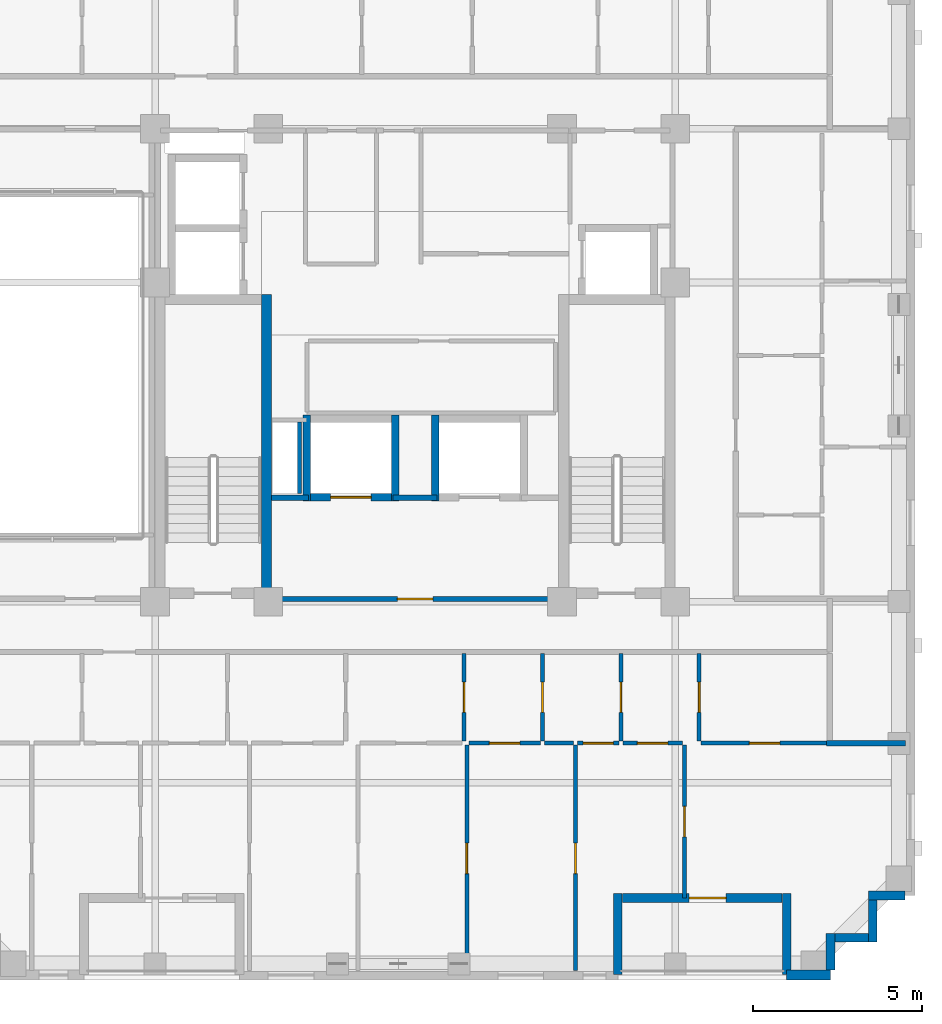
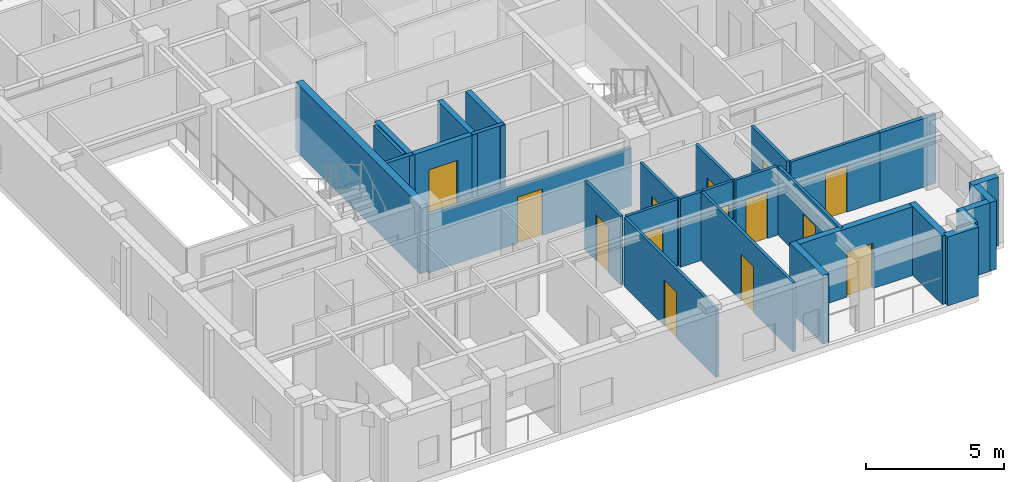
# One storey, part 5 of 12: 30 walls, 14 doors, 14 openings.
"""IFC4 building model written with IfcOpenShell, lengths in metres."""

from ifc_helpers import new_model, si_unit, derived_unit, direction, frame, frame_2d, origin, place, context, subcontext, project, spatial, rectangle, extrude, material, layer, layer_set, type_object, element, fill, save


model = new_model("IFC4")

# Units and contexts
model_context = context("Model", 3, precision=1e-05, world=origin(), true_north=direction((0.0, 1.0)))
body_context = subcontext(model_context, "Body", "Model", "MODEL_VIEW")
ifc_project = project(units=[si_unit("LENGTHUNIT", "METRE"), si_unit("AREAUNIT", "SQUARE_METRE"), si_unit("VOLUMEUNIT", "CUBIC_METRE"), si_unit("PLANEANGLEUNIT", "RADIAN"), si_unit("MASSUNIT", "GRAM", prefix="KILO"), derived_unit("THERMALTRANSMITTANCEUNIT", [(si_unit("MASSUNIT", "GRAM", prefix="KILO"), 1), (si_unit("TIMEUNIT", "SECOND"), -3), (si_unit("THERMODYNAMICTEMPERATUREUNIT", "KELVIN"), -1)])], contexts=[model_context])

# Site, building, storey
site_placement = place(None, origin())
site = spatial("IfcSite", under=ifc_project, at=site_placement, CompositionType="ELEMENT")
building_placement = place(site_placement, origin())
building = spatial("IfcBuilding", under=site, at=building_placement, Name="Korrvale Station Residences", CompositionType="ELEMENT")
storey_placement = place(building_placement, frame((0.0, 0.0, 184.300048828125)))
storey = spatial("IfcBuildingStorey", under=building, at=storey_placement, Name="L53", CompositionType="ELEMENT", Elevation=184.300048828125)

# Walls
ifc_material_1 = material(Name="Concrete C50/60", Category="concrete")
ifc_layer_1 = layer(ifc_material_1, 0.300048828125, Name="Concrete C50/60")
ifc_layer_set_1 = layer_set([ifc_layer_1], Name="Concrete C50/60")
wall_type_1 = type_object("IfcWallType", Name="WAL-CORE-300-C50", PredefinedType="SHEAR", material=ifc_layer_set_1)
wall_1_placement = place(storey_placement, frame((21.10009765625, 15.10009765625, 0.0), z_axis=(0.0, 0.0, 1.0), x_axis=(0.0, 1.0, 0.0)))
element("IfcWall", 1, at=wall_1_placement, inside=storey, type_object=wall_type_1, Name="L53 ST-1 Core Shear Wall East", PredefinedType="SHEAR", context=body_context, shape_type="SweptSolid", body=[
    extrude(rectangle(XDim=9.0, YDim=0.300048828125, at=frame_2d((4.5, 0.0))), origin(), (0.0, 0.0, 1.0), 3.0400390625),
])
ifc_material_2 = material(Name="Precast concrete C45/55", Category="concrete")
ifc_layer_2 = layer(ifc_material_2, 0.260009765625, Name="Precast concrete C45/55")
ifc_layer_set_2 = layer_set([ifc_layer_2], Name="Precast concrete C45/55")
wall_type_2 = type_object("IfcWallType", Name="WAL-EXT-LOG260", PredefinedType="SOLIDWALL", material=ifc_layer_set_2)
wall_2_placement = place(storey_placement, frame((36.5, 3.9599609375, 0.0), z_axis=(0.0, 0.0, 1.0), x_axis=(0.0, 1.0, 0.0)))
element("IfcWall", 2, at=wall_2_placement, inside=storey, type_object=wall_type_2, Name="L53 Recessed Loggia Wall BAL-L53-S2-L", PredefinedType="SOLIDWALL", context=body_context, shape_type="SweptSolid", body=[
    extrude(rectangle(XDim=2.400146484375, YDim=0.260009765625, at=frame_2d((1.2001953125, 0.0))), origin(), (0.0, 0.0, 1.0), 3.0400390625),
])

# Wall, opening, door
wall_3_placement = place(storey_placement, frame((36.365966796875, 6.22998046875, 0.0), z_axis=(0.0, 0.0, 1.0), x_axis=(-1.0, 0.0, 0.0)))
wall_3 = element("IfcWall", 3, at=wall_3_placement, inside=storey, type_object=wall_type_2, Name="L53 Recessed Loggia Wall BAL-L53-S2-B", PredefinedType="SOLIDWALL", context=body_context, shape_type="SweptSolid", body=[
    extrude(rectangle(XDim=4.73193359375, YDim=0.260009765625, at=frame_2d((2.365966796875, 0.0))), origin(), (0.0, 0.0, 1.0), 3.0400390625),
])
opening_1_placement = place(wall_3_placement, frame((1.656005859375, 0.0, 0.0)))
opening_1 = element("IfcOpeningElement", 4, at=opening_1_placement, cuts=wall_3, Name="Opening BD-01", PredefinedType="OPENING", context=body_context, shape_type="SweptSolid", body=[
    extrude(rectangle(XDim=1.10009765625, YDim=2.0, at=frame_2d((0.550048828125, 1.0))), frame((0.0, 0.14013671875, 0.0), z_axis=(0.0, -1.0, 0.0), x_axis=(1.0, 0.0, 0.0)), (0.0, 0.0, 1.0), 0.280029296875),
])
ifc_material_3 = material(Name="Exterior thermally broken aluminium glazed balcony door", Category="aluminium")
door_type_1 = type_object("IfcDoorType", Name="DR-EXT-BAL", OperationType="NOTDEFINED", PredefinedType="DOOR", material=ifc_material_3)
door_1_placement = place(opening_1_placement, origin())
door_1 = element("IfcDoor", 5, at=door_1_placement, inside=storey, type_object=door_type_1, Name="L53 Loggia Balcony Door BAL-L53-S2", OperationType="SINGLE_SWING_RIGHT", OverallHeight=2.0, OverallWidth=1.10009765625, PredefinedType="DOOR", context=body_context, shape_type="SweptSolid", body=[
    extrude(rectangle(XDim=1.10009765625, YDim=2.0, at=frame_2d((0.550048828125, 1.0))), frame((0.0, 0.02490234375, 0.0), z_axis=(0.0, -1.0, 0.0), x_axis=(1.0, 0.0, 0.0)), (0.0, 0.0, 1.0), 0.050048828125),
])
fill(opening_1, door_1)

# Walls
wall_4_placement = place(storey_placement, frame((31.5, 6.360107421875, 0.0), z_axis=(0.0, 0.0, 1.0), x_axis=(0.0, -1.0, 0.0)))
element("IfcWall", 6, at=wall_4_placement, inside=storey, type_object=wall_type_2, Name="L53 Recessed Loggia Wall BAL-L53-S2-R", PredefinedType="SOLIDWALL", context=body_context, shape_type="SweptSolid", body=[
    extrude(rectangle(XDim=2.400146484375, YDim=0.260009765625, at=frame_2d((1.2001953125, 0.0))), origin(), (0.0, 0.0, 1.0), 3.0400390625),
])
wall_5_placement = place(storey_placement, frame((39.998046875, 6.300048828125, 0.0), z_axis=(0.0, 0.0, 1.0), x_axis=(-1.0, 0.0, 0.0)))
element("IfcWall", 7, at=wall_5_placement, inside=storey, type_object=wall_type_2, Name="L53 Serrated Corner Precast Step SE-1", PredefinedType="SOLIDWALL", context=body_context, shape_type="SweptSolid", body=[
    extrude(rectangle(XDim=1.078125, YDim=0.260009765625, at=frame_2d((0.5390625, 0.0))), origin(), (0.0, 0.0, 1.0), 3.0400390625),
])
wall_6_placement = place(storey_placement, frame((39.050048828125, 6.16796875, 0.0), z_axis=(0.0, 0.0, 1.0), x_axis=(0.0, -1.0, 0.0)))
element("IfcWall", 8, at=wall_6_placement, inside=storey, type_object=wall_type_2, Name="L53 Serrated Corner Precast Step SE-2", PredefinedType="SOLIDWALL", context=body_context, shape_type="SweptSolid", body=[
    extrude(rectangle(XDim=1.248046875, YDim=0.260009765625, at=frame_2d((0.6240234375, 0.0))), origin(), (0.0, 0.0, 1.0), 3.0400390625),
])
wall_7_placement = place(storey_placement, frame((38.91796875, 5.050048828125, 0.0), z_axis=(0.0, 0.0, 1.0), x_axis=(-1.0, 0.0, 0.0)))
element("IfcWall", 9, at=wall_7_placement, inside=storey, type_object=wall_type_2, Name="L53 Serrated Corner Precast Step SE-3", PredefinedType="SOLIDWALL", context=body_context, shape_type="SweptSolid", body=[
    extrude(rectangle(XDim=0.986083984375, YDim=0.260009765625, at=frame_2d((0.4931640625, 0.0))), origin(), (0.0, 0.0, 1.0), 3.0400390625),
])
wall_8_placement = place(storey_placement, frame((37.800048828125, 5.179931640625, 0.0), z_axis=(0.0, 0.0, 1.0), x_axis=(0.0, -1.0, 0.0)))
element("IfcWall", 10, at=wall_8_placement, inside=storey, type_object=wall_type_2, Name="L53 Serrated Corner Precast Step SE-4", PredefinedType="SOLIDWALL", context=body_context, shape_type="SweptSolid", body=[
    extrude(rectangle(XDim=1.077880859375, YDim=0.260009765625, at=frame_2d((0.5390625, 0.0))), origin(), (0.0, 0.0, 1.0), 3.0400390625),
])
ifc_layer_3 = layer(ifc_material_2, 0.300048828125, Name="Precast concrete C45/55")
ifc_layer_set_3 = layer_set([ifc_layer_3], Name="Precast concrete C45/55")
wall_type_3 = type_object("IfcWallType", Name="WAL-EXT-PC300", PredefinedType="SOLIDWALL", material=ifc_layer_set_3)
wall_9_placement = place(storey_placement, frame((37.800048828125, 3.949951171875, 0.0), z_axis=(0.0, 0.0, 1.0), x_axis=(-1.0, 0.0, 0.0)))
element("IfcWall", 11, at=wall_9_placement, inside=storey, type_object=wall_type_3, Name="L53 South Exterior Precast Wall 1", PredefinedType="SOLIDWALL", context=body_context, shape_type="SweptSolid", body=[
    extrude(rectangle(XDim=1.300048828125, YDim=0.300048828125, at=frame_2d((0.64990234375, 0.0))), origin(), (0.0, 0.0, 1.0), 3.0400390625),
])
ifc_material_4 = material(Name="Acoustic steel-stud gypsum board partition", Category="steel")
ifc_layer_4 = layer(ifc_material_4, 0.1201171875, Name="Acoustic steel-stud gypsum board partition")
ifc_layer_set_4 = layer_set([ifc_layer_4], Name="Acoustic steel-stud gypsum board partition")
wall_type_4 = type_object("IfcWallType", Name="WAL-PART-125", PredefinedType="PARTITIONING", material=ifc_layer_set_4)
wall_10_placement = place(storey_placement, frame((22.080078125, 18.199951171875, 0.0), z_axis=(0.0, 0.0, 1.0), x_axis=(0.0, 1.0, 0.0)))
element("IfcWall", 12, at=wall_10_placement, inside=storey, type_object=wall_type_4, Name="L53 Core Partition CW-RSWT", PredefinedType="PARTITIONING", context=body_context, shape_type="SweptSolid", body=[
    extrude(rectangle(XDim=2.1201171875, YDim=0.1201171875, at=frame_2d((1.06005859375, 0.0))), origin(), (0.0, 0.0, 1.0), 3.0400390625),
])

# Wall, opening, door
wall_11_placement = place(storey_placement, frame((26.949951171875, 10.8701171875, 0.0), z_axis=(0.0, 0.0, 1.0), x_axis=(0.0, 1.0, 0.0)))
wall_11 = element("IfcWall", 13, at=wall_11_placement, inside=storey, type_object=wall_type_4, Name="L53 Suite Partition U01-V34", PredefinedType="PARTITIONING", context=body_context, shape_type="SweptSolid", body=[
    extrude(rectangle(XDim=2.599853515625, YDim=0.1201171875, at=frame_2d((1.2998046875, 0.0))), origin(), (0.0, 0.0, 1.0), 3.0400390625),
])
opening_2_placement = place(wall_11_placement, frame((0.85009765625, 0.0, 0.0)))
opening_2 = element("IfcOpeningElement", 14, at=opening_2_placement, cuts=wall_11, Name="Opening DI-900", PredefinedType="OPENING", context=body_context, shape_type="SweptSolid", body=[
    extrude(rectangle(XDim=0.89990234375, YDim=2.050048828125, at=frame_2d((0.449951171875, 1.02490234375))), frame((0.0, 0.070068359375, 0.0), z_axis=(0.0, -1.0, 0.0), x_axis=(1.0, 0.0, 0.0)), (0.0, 0.0, 1.0), 0.14013671875),
])
ifc_material_5 = material(Name="Painted solid-core timber interior room door", Category="wood")
door_type_2 = type_object("IfcDoorType", Name="DR-INT-900", OperationType="NOTDEFINED", PredefinedType="DOOR", material=ifc_material_5)
door_2_placement = place(opening_2_placement, origin())
door_2 = element("IfcDoor", 15, at=door_2_placement, inside=storey, type_object=door_type_2, Name="L53 Studio Apartment L53-U01 Home Study Room Door", OperationType="SINGLE_SWING_LEFT", OverallHeight=2.050048828125, OverallWidth=0.89990234375, PredefinedType="DOOR", context=body_context, shape_type="SweptSolid", body=[
    extrude(rectangle(XDim=0.89990234375, YDim=2.050048828125, at=frame_2d((0.449951171875, 1.02490234375))), frame((0.0, 0.02490234375, 0.0), z_axis=(0.0, -1.0, 0.0), x_axis=(1.0, 0.0, 0.0)), (0.0, 0.0, 1.0), 0.050048828125),
])
fill(opening_2, door_2)

wall_12_placement = place(storey_placement, frame((29.27001953125, 10.8701171875, 0.0), z_axis=(0.0, 0.0, 1.0), x_axis=(0.0, 1.0, 0.0)))
wall_12 = element("IfcWall", 16, at=wall_12_placement, inside=storey, type_object=wall_type_4, Name="L53 Suite Partition U01-V45", PredefinedType="PARTITIONING", context=body_context, shape_type="SweptSolid", body=[
    extrude(rectangle(XDim=2.599853515625, YDim=0.1201171875, at=frame_2d((1.2998046875, 0.0))), origin(), (0.0, 0.0, 1.0), 3.0400390625),
])
opening_3_placement = place(wall_12_placement, frame((0.85009765625, 0.0, 0.0)))
opening_3 = element("IfcOpeningElement", 17, at=opening_3_placement, cuts=wall_12, Name="Opening DI-900", PredefinedType="OPENING", context=body_context, shape_type="SweptSolid", body=[
    extrude(rectangle(XDim=0.89990234375, YDim=2.050048828125, at=frame_2d((0.449951171875, 1.02490234375))), frame((0.0, 0.070068359375, 0.0), z_axis=(0.0, -1.0, 0.0), x_axis=(1.0, 0.0, 0.0)), (0.0, 0.0, 1.0), 0.14013671875),
])
door_3_placement = place(opening_3_placement, origin())
door_3 = element("IfcDoor", 18, at=door_3_placement, inside=storey, type_object=door_type_2, Name="L53 Studio Apartment L53-U01 Wardrobe Storage Room Door", OperationType="SINGLE_SWING_LEFT", OverallHeight=2.050048828125, OverallWidth=0.89990234375, PredefinedType="DOOR", context=body_context, shape_type="SweptSolid", body=[
    extrude(rectangle(XDim=0.89990234375, YDim=2.050048828125, at=frame_2d((0.449951171875, 1.02490234375))), frame((0.0, 0.02490234375, 0.0), z_axis=(0.0, -1.0, 0.0), x_axis=(1.0, 0.0, 0.0)), (0.0, 0.0, 1.0), 0.050048828125),
])
fill(opening_3, door_3)

wall_13_placement = place(storey_placement, frame((27.090087890625, 10.81005859375, 0.0), z_axis=(0.0, 0.0, 1.0), x_axis=(1.0, 0.0, 0.0)))
wall_13 = element("IfcWall", 19, at=wall_13_placement, inside=storey, type_object=wall_type_4, Name="L53 Suite Partition U01-H413", PredefinedType="PARTITIONING", context=body_context, shape_type="SweptSolid", body=[
    extrude(rectangle(XDim=2.119873046875, YDim=0.1201171875, at=frame_2d((1.06005859375, 0.0))), origin(), (0.0, 0.0, 1.0), 3.0400390625),
])
opening_4_placement = place(wall_13_placement, frame((0.610107421875, 0.0, 0.0)))
opening_4 = element("IfcOpeningElement", 20, at=opening_4_placement, cuts=wall_13, Name="Opening DI-900", PredefinedType="OPENING", context=body_context, shape_type="SweptSolid", body=[
    extrude(rectangle(XDim=0.89990234375, YDim=2.050048828125, at=frame_2d((0.449951171875, 1.02490234375))), frame((0.0, 0.070068359375, 0.0), z_axis=(0.0, -1.0, 0.0), x_axis=(1.0, 0.0, 0.0)), (0.0, 0.0, 1.0), 0.14013671875),
])
door_4_placement = place(opening_4_placement, origin())
door_4 = element("IfcDoor", 21, at=door_4_placement, inside=storey, type_object=door_type_2, Name="L53 Studio Apartment L53-U01 Wardrobe Storage Room Door", OperationType="SINGLE_SWING_RIGHT", OverallHeight=2.050048828125, OverallWidth=0.89990234375, PredefinedType="DOOR", context=body_context, shape_type="SweptSolid", body=[
    extrude(rectangle(XDim=0.89990234375, YDim=2.050048828125, at=frame_2d((0.449951171875, 1.02490234375))), frame((0.0, 0.02490234375, 0.0), z_axis=(0.0, -1.0, 0.0), x_axis=(1.0, 0.0, 0.0)), (0.0, 0.0, 1.0), 0.050048828125),
])
fill(opening_4, door_4)

wall_14_placement = place(storey_placement, frame((31.590087890625, 10.8701171875, 0.0), z_axis=(0.0, 0.0, 1.0), x_axis=(0.0, 1.0, 0.0)))
wall_14 = element("IfcWall", 22, at=wall_14_placement, inside=storey, type_object=wall_type_4, Name="L53 Suite Partition U01-V56", PredefinedType="PARTITIONING", context=body_context, shape_type="SweptSolid", body=[
    extrude(rectangle(XDim=2.599853515625, YDim=0.1201171875, at=frame_2d((1.2998046875, 0.0))), origin(), (0.0, 0.0, 1.0), 3.0400390625),
])
opening_5_placement = place(wall_14_placement, frame((0.85009765625, 0.0, 0.0)))
opening_5 = element("IfcOpeningElement", 23, at=opening_5_placement, cuts=wall_14, Name="Opening DI-900", PredefinedType="OPENING", context=body_context, shape_type="SweptSolid", body=[
    extrude(rectangle(XDim=0.89990234375, YDim=2.050048828125, at=frame_2d((0.449951171875, 1.02490234375))), frame((0.0, 0.070068359375, 0.0), z_axis=(0.0, -1.0, 0.0), x_axis=(1.0, 0.0, 0.0)), (0.0, 0.0, 1.0), 0.14013671875),
])
door_5_placement = place(opening_5_placement, origin())
door_5 = element("IfcDoor", 24, at=door_5_placement, inside=storey, type_object=door_type_2, Name="L53 Studio Apartment L53-U01 Wardrobe Storage Room Door", OperationType="SINGLE_SWING_LEFT", OverallHeight=2.050048828125, OverallWidth=0.89990234375, PredefinedType="DOOR", context=body_context, shape_type="SweptSolid", body=[
    extrude(rectangle(XDim=0.89990234375, YDim=2.050048828125, at=frame_2d((0.449951171875, 1.02490234375))), frame((0.0, 0.02490234375, 0.0), z_axis=(0.0, -1.0, 0.0), x_axis=(1.0, 0.0, 0.0)), (0.0, 0.0, 1.0), 0.050048828125),
])
fill(opening_5, door_5)

# Wall
wall_15_placement = place(storey_placement, frame((29.330078125, 10.81005859375, 0.0), z_axis=(0.0, 0.0, 1.0), x_axis=(1.0, 0.0, 0.0)))
element("IfcWall", 25, at=wall_15_placement, inside=storey, type_object=wall_type_4, Name="L53 Suite Partition U01-H513", PredefinedType="PARTITIONING", context=body_context, shape_type="SweptSolid", body=[
    extrude(rectangle(XDim=0.85986328125, YDim=0.1201171875, at=frame_2d((0.429931640625, 0.0))), origin(), (0.0, 0.0, 1.0), 3.0400390625),
])

# Wall, opening, door
wall_16_placement = place(storey_placement, frame((30.31005859375, 10.81005859375, 0.0), z_axis=(0.0, 0.0, 1.0), x_axis=(1.0, 0.0, 0.0)))
wall_16 = element("IfcWall", 26, at=wall_16_placement, inside=storey, type_object=wall_type_4, Name="L53 Suite Partition U01-H514", PredefinedType="PARTITIONING", context=body_context, shape_type="SweptSolid", body=[
    extrude(rectangle(XDim=1.219970703125, YDim=0.1201171875, at=frame_2d((0.60986328125, 0.0))), origin(), (0.0, 0.0, 1.0), 3.0400390625),
])
opening_6_placement = place(wall_16_placement, frame((0.159912109375, 0.0, 0.0)))
opening_6 = element("IfcOpeningElement", 27, at=opening_6_placement, cuts=wall_16, Name="Opening DI-900", PredefinedType="OPENING", context=body_context, shape_type="SweptSolid", body=[
    extrude(rectangle(XDim=0.89990234375, YDim=2.050048828125, at=frame_2d((0.449951171875, 1.02490234375))), frame((0.0, 0.070068359375, 0.0), z_axis=(0.0, -1.0, 0.0), x_axis=(1.0, 0.0, 0.0)), (0.0, 0.0, 1.0), 0.14013671875),
])
door_6_placement = place(opening_6_placement, origin())
door_6 = element("IfcDoor", 28, at=door_6_placement, inside=storey, type_object=door_type_2, Name="L53 Studio Apartment L53-U01 Wardrobe Storage Room Door", OperationType="SINGLE_SWING_RIGHT", OverallHeight=2.050048828125, OverallWidth=0.89990234375, PredefinedType="DOOR", context=body_context, shape_type="SweptSolid", body=[
    extrude(rectangle(XDim=0.89990234375, YDim=2.050048828125, at=frame_2d((0.449951171875, 1.02490234375))), frame((0.0, 0.02490234375, 0.0), z_axis=(0.0, -1.0, 0.0), x_axis=(1.0, 0.0, 0.0)), (0.0, 0.0, 1.0), 0.050048828125),
])
fill(opening_6, door_6)

wall_17_placement = place(storey_placement, frame((33.909912109375, 10.8701171875, 0.0), z_axis=(0.0, 0.0, 1.0), x_axis=(0.0, 1.0, 0.0)))
wall_17 = element("IfcWall", 29, at=wall_17_placement, inside=storey, type_object=wall_type_4, Name="L53 Suite Partition U01-V67", PredefinedType="PARTITIONING", context=body_context, shape_type="SweptSolid", body=[
    extrude(rectangle(XDim=2.599853515625, YDim=0.1201171875, at=frame_2d((1.2998046875, 0.0))), origin(), (0.0, 0.0, 1.0), 3.0400390625),
])
opening_7_placement = place(wall_17_placement, frame((0.85009765625, 0.0, 0.0)))
opening_7 = element("IfcOpeningElement", 30, at=opening_7_placement, cuts=wall_17, Name="Opening DI-900", PredefinedType="OPENING", context=body_context, shape_type="SweptSolid", body=[
    extrude(rectangle(XDim=0.89990234375, YDim=2.050048828125, at=frame_2d((0.449951171875, 1.02490234375))), frame((0.0, 0.070068359375, 0.0), z_axis=(0.0, -1.0, 0.0), x_axis=(1.0, 0.0, 0.0)), (0.0, 0.0, 1.0), 0.14013671875),
])
door_7_placement = place(opening_7_placement, origin())
door_7 = element("IfcDoor", 31, at=door_7_placement, inside=storey, type_object=door_type_2, Name="L53 Studio Apartment L53-U01 Wardrobe Storage Room Door", OperationType="SINGLE_SWING_LEFT", OverallHeight=2.050048828125, OverallWidth=0.89990234375, PredefinedType="DOOR", context=body_context, shape_type="SweptSolid", body=[
    extrude(rectangle(XDim=0.89990234375, YDim=2.050048828125, at=frame_2d((0.449951171875, 1.02490234375))), frame((0.0, 0.02490234375, 0.0), z_axis=(0.0, -1.0, 0.0), x_axis=(1.0, 0.0, 0.0)), (0.0, 0.0, 1.0), 0.050048828125),
])
fill(opening_7, door_7)

wall_18_placement = place(storey_placement, frame((31.64990234375, 10.81005859375, 0.0), z_axis=(0.0, 0.0, 1.0), x_axis=(1.0, 0.0, 0.0)))
wall_18 = element("IfcWall", 32, at=wall_18_placement, inside=storey, type_object=wall_type_4, Name="L53 Suite Partition U01-H614", PredefinedType="PARTITIONING", context=body_context, shape_type="SweptSolid", body=[
    extrude(rectangle(XDim=1.760009765625, YDim=0.1201171875, at=frame_2d((0.8798828125, 0.0))), origin(), (0.0, 0.0, 1.0), 3.0400390625),
])
opening_8_placement = place(wall_18_placement, frame((0.429931640625, 0.0, 0.0)))
opening_8 = element("IfcOpeningElement", 33, at=opening_8_placement, cuts=wall_18, Name="Opening DI-900", PredefinedType="OPENING", context=body_context, shape_type="SweptSolid", body=[
    extrude(rectangle(XDim=0.89990234375, YDim=2.050048828125, at=frame_2d((0.449951171875, 1.02490234375))), frame((0.0, 0.070068359375, 0.0), z_axis=(0.0, -1.0, 0.0), x_axis=(1.0, 0.0, 0.0)), (0.0, 0.0, 1.0), 0.14013671875),
])
door_8_placement = place(opening_8_placement, origin())
door_8 = element("IfcDoor", 34, at=door_8_placement, inside=storey, type_object=door_type_2, Name="L53 Studio Apartment L53-U01 Wardrobe Storage Room Door", OperationType="SINGLE_SWING_RIGHT", OverallHeight=2.050048828125, OverallWidth=0.89990234375, PredefinedType="DOOR", context=body_context, shape_type="SweptSolid", body=[
    extrude(rectangle(XDim=0.89990234375, YDim=2.050048828125, at=frame_2d((0.449951171875, 1.02490234375))), frame((0.0, 0.02490234375, 0.0), z_axis=(0.0, -1.0, 0.0), x_axis=(1.0, 0.0, 0.0)), (0.0, 0.0, 1.0), 0.050048828125),
])
fill(opening_8, door_8)

wall_19_placement = place(storey_placement, frame((33.969970703125, 10.81005859375, 0.0), z_axis=(0.0, 0.0, 1.0), x_axis=(1.0, 0.0, 0.0)))
wall_19 = element("IfcWall", 35, at=wall_19_placement, inside=storey, type_object=wall_type_4, Name="L53 Suite Partition U01-H715", PredefinedType="PARTITIONING", context=body_context, shape_type="SweptSolid", body=[
    extrude(rectangle(XDim=3.75, YDim=0.1201171875, at=frame_2d((1.875, 0.0))), origin(), (0.0, 0.0, 1.0), 3.0400390625),
])
opening_9_placement = place(wall_19_placement, frame((1.425048828125, 0.0, 0.0)))
opening_9 = element("IfcOpeningElement", 36, at=opening_9_placement, cuts=wall_19, Name="Opening DI-900", PredefinedType="OPENING", context=body_context, shape_type="SweptSolid", body=[
    extrude(rectangle(XDim=0.89990234375, YDim=2.050048828125, at=frame_2d((0.449951171875, 1.02490234375))), frame((0.0, 0.070068359375, 0.0), z_axis=(0.0, -1.0, 0.0), x_axis=(1.0, 0.0, 0.0)), (0.0, 0.0, 1.0), 0.14013671875),
])
door_9_placement = place(opening_9_placement, origin())
door_9 = element("IfcDoor", 37, at=door_9_placement, inside=storey, type_object=door_type_2, Name="L53 Studio Apartment L53-U01 Utility and Laundry Room Door", OperationType="SINGLE_SWING_LEFT", OverallHeight=2.050048828125, OverallWidth=0.89990234375, PredefinedType="DOOR", context=body_context, shape_type="SweptSolid", body=[
    extrude(rectangle(XDim=0.89990234375, YDim=2.050048828125, at=frame_2d((0.449951171875, 1.02490234375))), frame((0.0, 0.02490234375, 0.0), z_axis=(0.0, -1.0, 0.0), x_axis=(1.0, 0.0, 0.0)), (0.0, 0.0, 1.0), 0.050048828125),
])
fill(opening_9, door_9)

wall_20_placement = place(storey_placement, frame((27.030029296875, 4.080078125, 0.0), z_axis=(0.0, 0.0, 1.0), x_axis=(0.0, 1.0, 0.0)))
wall_20 = element("IfcWall", 38, at=wall_20_placement, inside=storey, type_object=wall_type_4, Name="L53 Suite Partition U01-V1213", PredefinedType="PARTITIONING", context=body_context, shape_type="SweptSolid", body=[
    extrude(rectangle(XDim=6.669921875, YDim=0.1201171875, at=frame_2d((3.3349609375, 0.0))), origin(), (0.0, 0.0, 1.0), 3.0400390625),
])
opening_10_placement = place(wall_20_placement, frame((2.8701171875, 0.0, 0.0)))
opening_10 = element("IfcOpeningElement", 39, at=opening_10_placement, cuts=wall_20, Name="Opening DI-900", PredefinedType="OPENING", context=body_context, shape_type="SweptSolid", body=[
    extrude(rectangle(XDim=0.89990234375, YDim=2.050048828125, at=frame_2d((0.449951171875, 1.02490234375))), frame((0.0, 0.070068359375, 0.0), z_axis=(0.0, -1.0, 0.0), x_axis=(1.0, 0.0, 0.0)), (0.0, 0.0, 1.0), 0.14013671875),
])
door_10_placement = place(opening_10_placement, origin())
door_10 = element("IfcDoor", 40, at=door_10_placement, inside=storey, type_object=door_type_2, Name="L53 Studio Apartment L53-U01 Walk-In Wardrobe Door", OperationType="SINGLE_SWING_RIGHT", OverallHeight=2.050048828125, OverallWidth=0.89990234375, PredefinedType="DOOR", context=body_context, shape_type="SweptSolid", body=[
    extrude(rectangle(XDim=0.89990234375, YDim=2.050048828125, at=frame_2d((0.449951171875, 1.02490234375))), frame((0.0, 0.02490234375, 0.0), z_axis=(0.0, -1.0, 0.0), x_axis=(1.0, 0.0, 0.0)), (0.0, 0.0, 1.0), 0.050048828125),
])
fill(opening_10, door_10)

wall_21_placement = place(storey_placement, frame((30.25, 4.080078125, 0.0), z_axis=(0.0, 0.0, 1.0), x_axis=(0.0, 1.0, 0.0)))
wall_21 = element("IfcWall", 41, at=wall_21_placement, inside=storey, type_object=wall_type_4, Name="L53 Suite Partition U01-V1314", PredefinedType="PARTITIONING", context=body_context, shape_type="SweptSolid", body=[
    extrude(rectangle(XDim=6.669921875, YDim=0.1201171875, at=frame_2d((3.3349609375, 0.0))), origin(), (0.0, 0.0, 1.0), 3.0400390625),
])
opening_11_placement = place(wall_21_placement, frame((2.8701171875, 0.0, 0.0)))
opening_11 = element("IfcOpeningElement", 42, at=opening_11_placement, cuts=wall_21, Name="Opening DI-900", PredefinedType="OPENING", context=body_context, shape_type="SweptSolid", body=[
    extrude(rectangle(XDim=0.89990234375, YDim=2.050048828125, at=frame_2d((0.449951171875, 1.02490234375))), frame((0.0, 0.070068359375, 0.0), z_axis=(0.0, -1.0, 0.0), x_axis=(1.0, 0.0, 0.0)), (0.0, 0.0, 1.0), 0.14013671875),
])
door_11_placement = place(opening_11_placement, origin())
door_11 = element("IfcDoor", 43, at=door_11_placement, inside=storey, type_object=door_type_2, Name="L53 Studio Apartment L53-U01 Formal Dining Room Door", OperationType="SINGLE_SWING_LEFT", OverallHeight=2.050048828125, OverallWidth=0.89990234375, PredefinedType="DOOR", context=body_context, shape_type="SweptSolid", body=[
    extrude(rectangle(XDim=0.89990234375, YDim=2.050048828125, at=frame_2d((0.449951171875, 1.02490234375))), frame((0.0, 0.02490234375, 0.0), z_axis=(0.0, -1.0, 0.0), x_axis=(1.0, 0.0, 0.0)), (0.0, 0.0, 1.0), 0.050048828125),
])
fill(opening_11, door_11)

wall_22_placement = place(storey_placement, frame((33.469970703125, 6.22998046875, 0.0), z_axis=(0.0, 0.0, 1.0), x_axis=(0.0, 1.0, 0.0)))
wall_22 = element("IfcWall", 44, at=wall_22_placement, inside=storey, type_object=wall_type_4, Name="L53 Suite Partition U01-V1415", PredefinedType="PARTITIONING", context=body_context, shape_type="SweptSolid", body=[
    extrude(rectangle(XDim=4.52001953125, YDim=0.1201171875, at=frame_2d((2.260009765625, 0.0))), origin(), (0.0, 0.0, 1.0), 3.0400390625),
])
opening_12_placement = place(wall_22_placement, frame((1.81005859375, 0.0, 0.0)))
opening_12 = element("IfcOpeningElement", 45, at=opening_12_placement, cuts=wall_22, Name="Opening DI-900", PredefinedType="OPENING", context=body_context, shape_type="SweptSolid", body=[
    extrude(rectangle(XDim=0.89990234375, YDim=2.050048828125, at=frame_2d((0.449951171875, 1.02490234375))), frame((0.0, 0.070068359375, 0.0), z_axis=(0.0, -1.0, 0.0), x_axis=(1.0, 0.0, 0.0)), (0.0, 0.0, 1.0), 0.14013671875),
])
door_12_placement = place(opening_12_placement, origin())
door_12 = element("IfcDoor", 46, at=door_12_placement, inside=storey, type_object=door_type_2, Name="L53 Studio Apartment L53-U01 Formal Dining Room Door", OperationType="SINGLE_SWING_RIGHT", OverallHeight=2.050048828125, OverallWidth=0.89990234375, PredefinedType="DOOR", context=body_context, shape_type="SweptSolid", body=[
    extrude(rectangle(XDim=0.89990234375, YDim=2.050048828125, at=frame_2d((0.449951171875, 1.02490234375))), frame((0.0, 0.02490234375, 0.0), z_axis=(0.0, -1.0, 0.0), x_axis=(1.0, 0.0, 0.0)), (0.0, 0.0, 1.0), 0.050048828125),
])
fill(opening_12, door_12)

ifc_material_6 = material(Name="Fire-rated twin-stud gypsum and mineral wool shaftwall assembly", Category="gypsum")
ifc_layer_5 = layer(ifc_material_6, 0.159912109375, Name="Fire-rated twin-stud gypsum and mineral wool shaftwall assembly")
ifc_layer_set_5 = layer_set([ifc_layer_5], Name="Fire-rated twin-stud gypsum and mineral wool shaftwall assembly")
wall_type_5 = type_object("IfcWallType", Name="WAL-PART-200", PredefinedType="PARTITIONING", material=ifc_layer_set_5)
wall_23_placement = place(storey_placement, frame((21.25, 15.080078125, 0.0), z_axis=(0.0, 0.0, 1.0), x_axis=(1.0, 0.0, 0.0)))
wall_23 = element("IfcWall", 47, at=wall_23_placement, inside=storey, type_object=wall_type_5, Name="L53 Core Partition CW-FFL-S", PredefinedType="PARTITIONING", context=body_context, shape_type="SweptSolid", body=[
    extrude(rectangle(XDim=8.5, YDim=0.159912109375, at=frame_2d((4.25, 0.0))), origin(), (0.0, 0.0, 1.0), 2.555908203125),
])
opening_13_placement = place(wall_23_placement, frame((3.72509765625, 0.0, 0.0)))
opening_13 = element("IfcOpeningElement", 48, at=opening_13_placement, cuts=wall_23, Name="Opening FD-1050", PredefinedType="OPENING", context=body_context, shape_type="SweptSolid", body=[
    extrude(rectangle(XDim=1.050048828125, YDim=2.050048828125, at=frame_2d((0.52490234375, 1.02490234375))), frame((0.0, 0.08984375, 0.0), z_axis=(0.0, -1.0, 0.0), x_axis=(1.0, 0.0, 0.0)), (0.0, 0.0, 1.0), 0.179931640625),
])
ifc_material_7 = material(Name="Fire-rated mineral-core timber lobby door", Category="wood")
door_type_3 = type_object("IfcDoorType", Name="DR-CORE-1050", OperationType="NOTDEFINED", PredefinedType="DOOR", material=ifc_material_7)
door_13_placement = place(opening_13_placement, origin())
door_13 = element("IfcDoor", 49, at=door_13_placement, inside=storey, type_object=door_type_3, Name="L53 Firefighting Lobby Entry Door", OperationType="SINGLE_SWING_RIGHT", OverallHeight=2.050048828125, OverallWidth=1.050048828125, PredefinedType="DOOR", context=body_context, shape_type="SweptSolid", body=[
    extrude(rectangle(XDim=1.050048828125, YDim=2.050048828125, at=frame_2d((0.52490234375, 1.02490234375))), frame((0.0, 0.02490234375, 0.0), z_axis=(0.0, -1.0, 0.0), x_axis=(1.0, 0.0, 0.0)), (0.0, 0.0, 1.0), 0.050048828125),
])
fill(opening_13, door_13)

# Walls
wall_24_placement = place(storey_placement, frame((21.25, 18.080078125, 0.0), z_axis=(0.0, 0.0, 1.0), x_axis=(1.0, 0.0, 0.0)))
element("IfcWall", 50, at=wall_24_placement, inside=storey, type_object=wall_type_5, Name="L53 Core Partition CW-FFL-N1", PredefinedType="PARTITIONING", context=body_context, shape_type="SweptSolid", body=[
    extrude(rectangle(XDim=1.10009765625, YDim=0.159912109375, at=frame_2d((0.550048828125, 0.0))), origin(), (0.0, 0.0, 1.0), 3.0400390625),
])
wall_25_placement = place(storey_placement, frame((24.85009765625, 18.080078125, 0.0), z_axis=(0.0, 0.0, 1.0), x_axis=(1.0, 0.0, 0.0)))
element("IfcWall", 51, at=wall_25_placement, inside=storey, type_object=wall_type_5, Name="L53 Core Partition CW-FFL-N2", PredefinedType="PARTITIONING", context=body_context, shape_type="SweptSolid", body=[
    extrude(rectangle(XDim=1.2998046875, YDim=0.159912109375, at=frame_2d((0.64990234375, 0.0))), origin(), (0.0, 0.0, 1.0), 3.0400390625),
])
wall_26_placement = place(storey_placement, frame((37.679931640625, 10.81005859375, 0.0), z_axis=(0.0, 0.0, 1.0), x_axis=(1.0, 0.0, 0.0)))
element("IfcWall", 52, at=wall_26_placement, inside=storey, type_object=wall_type_5, Name="L53 Corner Step Wall U01-R", PredefinedType="PARTITIONING", context=body_context, shape_type="SweptSolid", body=[
    extrude(rectangle(XDim=2.340087890625, YDim=0.159912109375, at=frame_2d((1.169921875, 0.0))), origin(), (0.0, 0.0, 1.0), 3.0400390625),
])

# Wall, opening, door
ifc_layer_6 = layer(ifc_material_1, 0.219970703125, Name="Concrete C50/60")
ifc_layer_set_6 = layer_set([ifc_layer_6], Name="Concrete C50/60")
wall_type_6 = type_object("IfcWallType", Name="WAL-SHAFT-220-C50", PredefinedType="SHEAR", material=ifc_layer_set_6)
wall_27_placement = place(storey_placement, frame((22.39990234375, 18.090087890625, 0.0), z_axis=(0.0, 0.0, 1.0), x_axis=(1.0, 0.0, 0.0)))
wall_27 = element("IfcWall", 53, at=wall_27_placement, inside=storey, type_object=wall_type_6, Name="L53 Elevator FFL-1 Hoistway Wall South", PredefinedType="SHEAR", context=body_context, shape_type="SweptSolid", body=[
    extrude(rectangle(XDim=2.400146484375, YDim=0.219970703125, at=frame_2d((1.2001953125, 0.0))), origin(), (0.0, 0.0, 1.0), 3.0400390625),
])
opening_14_placement = place(wall_27_placement, frame((0.60009765625, 0.0, 0.0)))
opening_14 = element("IfcOpeningElement", 54, at=opening_14_placement, cuts=wall_27, Name="Opening LD-FF1200", PredefinedType="OPENING", context=body_context, shape_type="SweptSolid", body=[
    extrude(rectangle(XDim=1.199951171875, YDim=2.14990234375, at=frame_2d((0.60009765625, 1.074951171875))), frame((0.0, 0.1201171875, 0.0), z_axis=(0.0, -1.0, 0.0), x_axis=(1.0, 0.0, 0.0)), (0.0, 0.0, 1.0), 0.239990234375),
])
ifc_material_8 = material(Name="Stainless-steel firefighter elevator landing sliding door", Category="steel")
door_type_4 = type_object("IfcDoorType", Name="DR-LIFT-FF1200", OperationType="SLIDING_TO_LEFT", PredefinedType="DOOR", material=ifc_material_8)
door_14_placement = place(opening_14_placement, origin())
door_14 = element("IfcDoor", 55, at=door_14_placement, inside=storey, type_object=door_type_4, Name="L53 Elevator FFL-1 Sliding Landing Door", OperationType="SLIDING_TO_LEFT", OverallHeight=2.14990234375, OverallWidth=1.199951171875, PredefinedType="DOOR", context=body_context, shape_type="SweptSolid", body=[
    extrude(rectangle(XDim=1.199951171875, YDim=2.14990234375, at=frame_2d((0.60009765625, 1.074951171875))), frame((0.0, 0.02490234375, 0.0), z_axis=(0.0, -1.0, 0.0), x_axis=(1.0, 0.0, 0.0)), (0.0, 0.0, 1.0), 0.050048828125),
])
fill(opening_14, door_14)

# Walls
for number, where, z_axis, x_axis, name in (
    (56, (22.2900390625, 17.97998046875, 0.0), (0.0, 0.0, 1.0), (0.0, 1.0, 0.0), "L53 Elevator FFL-1 Hoistway Wall West"),
    (57, (24.909912109375, 17.97998046875, 0.0), (0.0, 0.0, 1.0), (0.0, 1.0, 0.0), "L53 Elevator FFL-1 Hoistway Wall East"),
    (58, (26.090087890625, 17.97998046875, 0.0), (0.0, 0.0, 1.0), (0.0, 1.0, 0.0), "L53 Elevator FFL-2 Hoistway Wall West"),
):
    element("IfcWall", number, at=place(storey_placement, frame(where, z_axis=z_axis, x_axis=x_axis)), inside=storey, type_object=wall_type_6, Name=name, PredefinedType="SHEAR", context=body_context, shape_type="SweptSolid", body=[
        extrude(rectangle(XDim=2.5400390625, YDim=0.219970703125, at=frame_2d((1.27001953125, 0.0))), origin(), (0.0, 0.0, 1.0), 3.0400390625),
    ])

save(model, "model.ifc")
